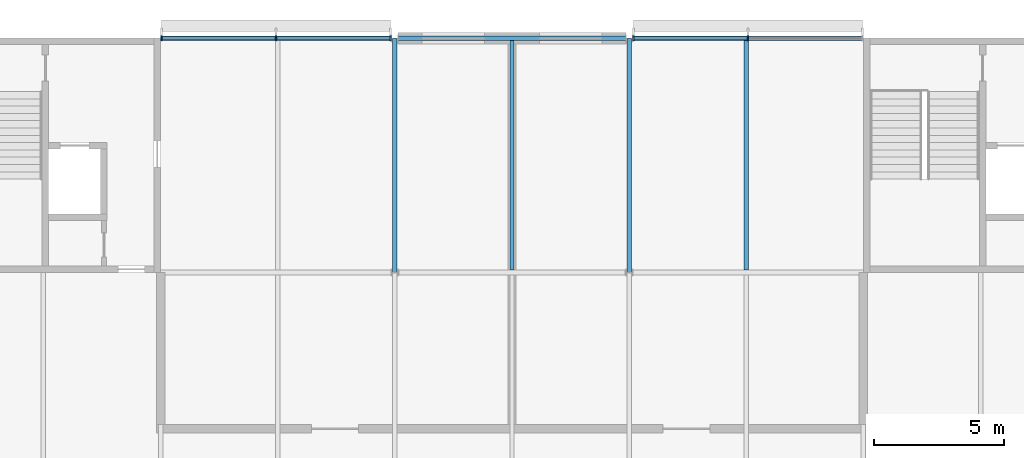
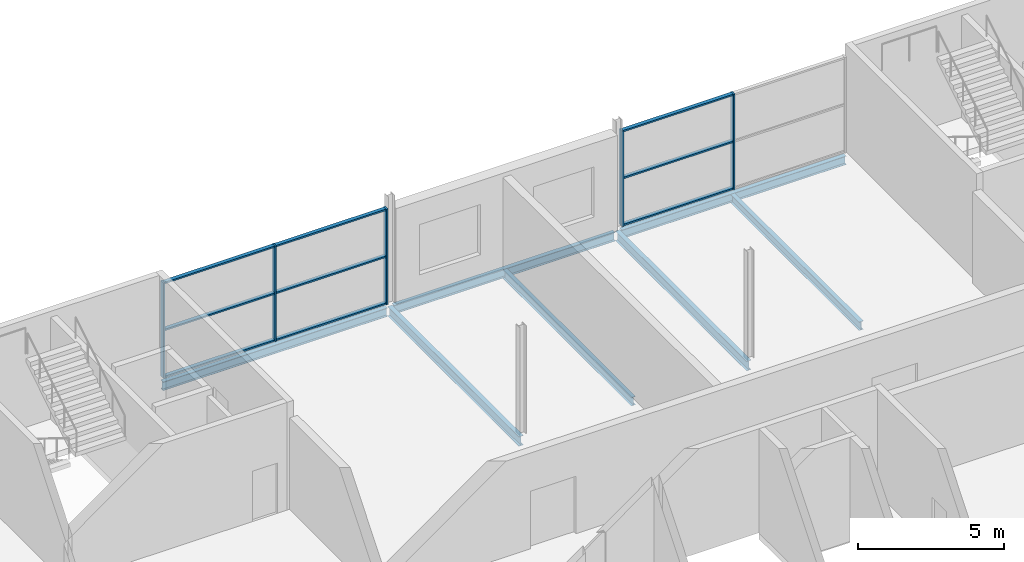
# One storey, part 71 of 138: 14 members, 7 beams, 2 elements without a shape of their own.
"""IFC4 building model written with IfcOpenShell, lengths in metres."""

from ifc_helpers import new_model, si_unit, direction, frame, origin, origin_2d, place, context, subcontext, project, spatial, rectangle, i_section, extrude, material, layer, layer_set, material_profile, profile_set, type_object, element, aggregate, save


model = new_model("IFC4")

# Units and contexts
model_context = context("Model", 3, precision=1e-05, world=origin(), true_north=direction((0.0, 1.0)))
body_context = subcontext(model_context, "Body", "Model", "MODEL_VIEW")
ifc_project = project(units=[si_unit("LENGTHUNIT", "METRE"), si_unit("AREAUNIT", "SQUARE_METRE"), si_unit("VOLUMEUNIT", "CUBIC_METRE"), si_unit("PLANEANGLEUNIT", "RADIAN"), si_unit("MASSUNIT", "GRAM", prefix="KILO")], contexts=[model_context])

# Site, building, storey
site_placement = place(None, origin())
site = spatial("IfcSite", under=ifc_project, at=site_placement, CompositionType="ELEMENT")
building_placement = place(site_placement, origin())
building = spatial("IfcBuilding", under=site, at=building_placement, Name="Corbel Yard City Hall", CompositionType="ELEMENT")
storey_placement = place(building_placement, frame((0.0, 0.0, 10.5)))
storey = spatial("IfcBuildingStorey", under=building, at=storey_placement, Name="L02", CompositionType="ELEMENT", Elevation=10.5)

# Beams
ifc_material_1 = material(Name="Steel Grade 300 (300 MPa yield)", Category="steel")
ifc_material_profile_1 = material_profile(ifc_material_1, i_section(OverallWidth=0.177978515625, OverallDepth=0.403076171875, WebThickness=0.007568359375, FlangeThickness=0.010986328125, at=origin_2d()), Name="410UB53.7")
ifc_profile_set_1 = profile_set([ifc_material_profile_1], Name="Steel Grade 300 (300 MPa yield)")
beam_type_1 = type_object("IfcBeamType", Name="Beam 410UB53.7", PredefinedType="BEAM", material=ifc_profile_set_1)
for number, where, z_axis, x_axis, name in (
    (1, (81.0, 108.005859375, -0.3515625), (0.0, 1.0, 0.0), (-1.0, 0.0, 0.0), "Beam 410UB53.7 SB6 L02floor"),
    (2, (90.0, 108.005859375, -0.3515625), (0.0, 1.0, 0.0), (-1.0, 0.0, 0.0), "Beam 410UB53.7 SB6 L02floor"),
):
    element("IfcBeam", number, at=place(storey_placement, frame(where, z_axis=z_axis, x_axis=x_axis)), inside=storey, type_object=beam_type_1, Name=name, PredefinedType="BEAM", context=body_context, shape_type="SweptSolid", body=[
        extrude(i_section(OverallWidth=0.177978515625, OverallDepth=0.403076171875, WebThickness=0.007568359375, FlangeThickness=0.010986328125, at=origin_2d()), origin(), (0.0, 0.0, 1.0), 8.98876953125),
    ])
ifc_material_profile_2 = material_profile(ifc_material_1, i_section(OverallWidth=0.172119140625, OverallDepth=0.35888671875, WebThickness=0.008056640625, FlangeThickness=0.012939453125, at=origin_2d()), Name="360UB56.7")
ifc_profile_set_2 = profile_set([ifc_material_profile_2], Name="Steel Grade 300 (300 MPa yield)")
beam_type_2 = type_object("IfcBeamType", Name="Edge beam 360UB56.7", PredefinedType="BEAM", material=ifc_profile_set_2)
beam_1_placement = place(storey_placement, frame((72.0, 117.0, -0.32958984375), z_axis=(1.0, 0.0, 0.0), x_axis=(0.0, 1.0, 0.0)))
element("IfcBeam", 3, at=beam_1_placement, inside=storey, type_object=beam_type_2, Name="Edge beam 360UB56.7 EB4 L02floor", PredefinedType="BEAM", context=body_context, shape_type="SweptSolid", body=[
    extrude(i_section(OverallWidth=0.172119140625, OverallDepth=0.35888671875, WebThickness=0.008056640625, FlangeThickness=0.012939453125, at=origin_2d()), origin(), (0.0, 0.0, 1.0), 8.8701171875),
])
beam_2_placement = place(storey_placement, frame((81.1298828125, 117.0, -0.32958984375), z_axis=(1.0, 0.0, 0.0), x_axis=(0.0, 1.0, 0.0)))
element("IfcBeam", 4, at=beam_2_placement, inside=storey, type_object=beam_type_2, Name="Edge beam 360UB56.7 EB4 L02floor", PredefinedType="BEAM", context=body_context, shape_type="SweptSolid", body=[
    extrude(i_section(OverallWidth=0.172119140625, OverallDepth=0.35888671875, WebThickness=0.008056640625, FlangeThickness=0.012939453125, at=origin_2d()), origin(), (0.0, 0.0, 1.0), 8.740234375),
])
beam_3_placement = place(storey_placement, frame((90.1298828125, 117.0, -0.32958984375), z_axis=(1.0, 0.0, 0.0), x_axis=(0.0, 1.0, 0.0)))
element("IfcBeam", 5, at=beam_3_placement, inside=storey, type_object=beam_type_2, Name="Edge beam 360UB56.7 EB4 L02floor", PredefinedType="BEAM", context=body_context, shape_type="SweptSolid", body=[
    extrude(i_section(OverallWidth=0.172119140625, OverallDepth=0.35888671875, WebThickness=0.008056640625, FlangeThickness=0.012939453125, at=origin_2d()), origin(), (0.0, 0.0, 1.0), 8.8701171875),
])

# Curtain wall, members
ifc_material_2 = material(Name="Aluminium extrusion", Category="aluminium")
ifc_layer = layer(ifc_material_2, 0.199951171875)
ifc_layer_set = layer_set([ifc_layer], Name="Aluminium extrusion")
curtain_wall_type = type_object("IfcCurtainWallType", Name="CW1", PredefinedType="USERDEFINED", material=ifc_layer_set)
curtain_wall_1_placement = place(storey_placement, origin())
curtain_wall_1 = element("IfcCurtainWall", 6, at=curtain_wall_1_placement, inside=storey, type_object=curtain_wall_type, Name="Curtain wall CW1 L02", ObjectType="CURTAIN WALL", PredefinedType="USERDEFINED")
ifc_material_profile_3 = material_profile(ifc_material_2, rectangle(XDim=0.199951171875, YDim=0.06494140625, at=origin_2d()), Name="200x65")
ifc_profile_set_3 = profile_set([ifc_material_profile_3], Name="Aluminium extrusion")
member_type_1 = type_object("IfcMemberType", Name="ML1", PredefinedType="MULLION", material=ifc_profile_set_3)
member_1_placement = place(storey_placement, frame((72.032470703125, 117.0, 0.0), z_axis=(0.0, 0.0, 1.0), x_axis=(0.0, 1.0, 0.0)))
member_1 = element("IfcMember", 7, at=member_1_placement, type_object=member_type_1, Name="CW1 mullion 1", PredefinedType="MULLION", context=body_context, shape_type="SweptSolid", body=[
    extrude(rectangle(XDim=0.199951171875, YDim=0.06494140625, at=origin_2d()), origin(), (0.0, 0.0, 1.0), 3.990966796875),
])
member_2_placement = place(storey_placement, frame((76.4365234375, 117.0, 0.0), z_axis=(0.0, 0.0, 1.0), x_axis=(0.0, 1.0, 0.0)))
member_2 = element("IfcMember", 8, at=member_2_placement, type_object=member_type_1, Name="CW1 mullion 2", PredefinedType="MULLION", context=body_context, shape_type="SweptSolid", body=[
    extrude(rectangle(XDim=0.199951171875, YDim=0.06494140625, at=origin_2d()), origin(), (0.0, 0.0, 1.0), 3.990966796875),
])
member_3_placement = place(storey_placement, frame((80.840576171875, 117.0, 0.0), z_axis=(0.0, 0.0, 1.0), x_axis=(0.0, 1.0, 0.0)))
member_3 = element("IfcMember", 9, at=member_3_placement, type_object=member_type_1, Name="CW1 mullion 3", PredefinedType="MULLION", context=body_context, shape_type="SweptSolid", body=[
    extrude(rectangle(XDim=0.199951171875, YDim=0.06494140625, at=origin_2d()), origin(), (0.0, 0.0, 1.0), 3.990966796875),
])

curtain_wall_2_placement = place(storey_placement, origin())
curtain_wall_2 = element("IfcCurtainWall", 10, at=curtain_wall_2_placement, inside=storey, type_object=curtain_wall_type, Name="Curtain wall CW1 L02", ObjectType="CURTAIN WALL", PredefinedType="USERDEFINED")
member_4_placement = place(storey_placement, frame((90.159423828125, 117.0, 0.0), z_axis=(0.0, 0.0, 1.0), x_axis=(0.0, 1.0, 0.0)))
member_4 = element("IfcMember", 11, at=member_4_placement, type_object=member_type_1, Name="CW1 mullion 1", PredefinedType="MULLION", context=body_context, shape_type="SweptSolid", body=[
    extrude(rectangle(XDim=0.199951171875, YDim=0.06494140625, at=origin_2d()), origin(), (0.0, 0.0, 1.0), 3.990966796875),
])
member_5_placement = place(storey_placement, frame((94.5634765625, 117.0, 0.0), z_axis=(0.0, 0.0, 1.0), x_axis=(0.0, 1.0, 0.0)))
member_5 = element("IfcMember", 12, at=member_5_placement, type_object=member_type_1, Name="CW1 mullion 2", PredefinedType="MULLION", context=body_context, shape_type="SweptSolid", body=[
    extrude(rectangle(XDim=0.199951171875, YDim=0.06494140625, at=origin_2d()), origin(), (0.0, 0.0, 1.0), 3.990966796875),
])

# Beams
ifc_material_profile_4 = material_profile(ifc_material_1, i_section(OverallWidth=0.1708984375, OverallDepth=0.35595703125, WebThickness=0.00732421875, FlangeThickness=0.011474609375, at=origin_2d()), Name="360UB50.7")
ifc_profile_set_4 = profile_set([ifc_material_profile_4], Name="Steel Grade 300 (300 MPa yield)")
beam_type_3 = type_object("IfcBeamType", Name="Secondary beam 360UB50.7", PredefinedType="JOIST", material=ifc_profile_set_4)
for number, where, z_axis, x_axis, name in (
    (13, (85.5, 108.1044921875, -0.327880859375), (0.0, 1.0, 0.0), (-1.0, 0.0, 0.0), "Secondary beam 360UB50.7 SB10 L02floor"),
    (14, (94.5, 108.1044921875, -0.327880859375), (0.0, 1.0, 0.0), (-1.0, 0.0, 0.0), "Secondary beam 360UB50.7 SB10 L02floor"),
):
    element("IfcBeam", number, at=place(storey_placement, frame(where, z_axis=z_axis, x_axis=x_axis)), inside=storey, type_object=beam_type_3, Name=name, PredefinedType="JOIST", context=body_context, shape_type="SweptSolid", body=[
        extrude(i_section(OverallWidth=0.1708984375, OverallDepth=0.35595703125, WebThickness=0.00732421875, FlangeThickness=0.011474609375, at=origin_2d()), origin(), (0.0, 0.0, 1.0), 8.8095703125),
    ])

# Member
ifc_material_profile_5 = material_profile(ifc_material_2, rectangle(XDim=0.14990234375, YDim=0.06494140625, at=origin_2d()), Name="150x65")
ifc_profile_set_5 = profile_set([ifc_material_profile_5], Name="Aluminium extrusion")
member_type_2 = type_object("IfcMemberType", Name="TR1", PredefinedType="USERDEFINED", material=ifc_profile_set_5)
member_6_placement = place(storey_placement, frame((72.06494140625, 117.0, 0.032470703125), z_axis=(1.0, 0.0, 0.0), x_axis=(0.0, 1.0, 0.0)))
member_6 = element("IfcMember", 15, at=member_6_placement, type_object=member_type_2, Name="CW1 transom 1.1", ObjectType="TRANSOM", PredefinedType="USERDEFINED", context=body_context, shape_type="SweptSolid", body=[
    extrude(rectangle(XDim=0.14990234375, YDim=0.06494140625, at=origin_2d()), origin(), (0.0, 0.0, 1.0), 4.339111328125),
])

member_7_placement = place(storey_placement, frame((72.06494140625, 117.0, 1.99560546875), z_axis=(1.0, 0.0, 0.0), x_axis=(0.0, 1.0, 0.0)))
member_7 = element("IfcMember", 16, at=member_7_placement, type_object=member_type_2, Name="CW1 transom 1.2", ObjectType="TRANSOM", PredefinedType="USERDEFINED", context=body_context, shape_type="SweptSolid", body=[
    extrude(rectangle(XDim=0.14990234375, YDim=0.06494140625, at=origin_2d()), origin(), (0.0, 0.0, 1.0), 4.339111328125),
])

member_8_placement = place(storey_placement, frame((72.06494140625, 117.0, 3.95849609375), z_axis=(1.0, 0.0, 0.0), x_axis=(0.0, 1.0, 0.0)))
member_8 = element("IfcMember", 17, at=member_8_placement, type_object=member_type_2, Name="CW1 transom 1.3", ObjectType="TRANSOM", PredefinedType="USERDEFINED", context=body_context, shape_type="SweptSolid", body=[
    extrude(rectangle(XDim=0.14990234375, YDim=0.06494140625, at=origin_2d()), origin(), (0.0, 0.0, 1.0), 4.339111328125),
])

member_9_placement = place(storey_placement, frame((76.468994140625, 117.0, 0.032470703125), z_axis=(1.0, 0.0, 0.0), x_axis=(0.0, 1.0, 0.0)))
member_9 = element("IfcMember", 18, at=member_9_placement, type_object=member_type_2, Name="CW1 transom 2.1", ObjectType="TRANSOM", PredefinedType="USERDEFINED", context=body_context, shape_type="SweptSolid", body=[
    extrude(rectangle(XDim=0.14990234375, YDim=0.06494140625, at=origin_2d()), origin(), (0.0, 0.0, 1.0), 4.339111328125),
])

member_10_placement = place(storey_placement, frame((76.468994140625, 117.0, 1.99560546875), z_axis=(1.0, 0.0, 0.0), x_axis=(0.0, 1.0, 0.0)))
member_10 = element("IfcMember", 19, at=member_10_placement, type_object=member_type_2, Name="CW1 transom 2.2", ObjectType="TRANSOM", PredefinedType="USERDEFINED", context=body_context, shape_type="SweptSolid", body=[
    extrude(rectangle(XDim=0.14990234375, YDim=0.06494140625, at=origin_2d()), origin(), (0.0, 0.0, 1.0), 4.339111328125),
])

member_11_placement = place(storey_placement, frame((76.468994140625, 117.0, 3.95849609375), z_axis=(1.0, 0.0, 0.0), x_axis=(0.0, 1.0, 0.0)))
member_11 = element("IfcMember", 20, at=member_11_placement, type_object=member_type_2, Name="CW1 transom 2.3", ObjectType="TRANSOM", PredefinedType="USERDEFINED", context=body_context, shape_type="SweptSolid", body=[
    extrude(rectangle(XDim=0.14990234375, YDim=0.06494140625, at=origin_2d()), origin(), (0.0, 0.0, 1.0), 4.339111328125),
])

aggregate(curtain_wall_1, [member_1, member_2, member_3, member_6, member_7, member_8, member_9, member_10, member_11])

member_12_placement = place(storey_placement, frame((90.19189453125, 117.0, 0.032470703125), z_axis=(1.0, 0.0, 0.0), x_axis=(0.0, 1.0, 0.0)))
member_12 = element("IfcMember", 21, at=member_12_placement, type_object=member_type_2, Name="CW1 transom 1.1", ObjectType="TRANSOM", PredefinedType="USERDEFINED", context=body_context, shape_type="SweptSolid", body=[
    extrude(rectangle(XDim=0.14990234375, YDim=0.06494140625, at=origin_2d()), origin(), (0.0, 0.0, 1.0), 4.339111328125),
])

member_13_placement = place(storey_placement, frame((90.19189453125, 117.0, 1.99560546875), z_axis=(1.0, 0.0, 0.0), x_axis=(0.0, 1.0, 0.0)))
member_13 = element("IfcMember", 22, at=member_13_placement, type_object=member_type_2, Name="CW1 transom 1.2", ObjectType="TRANSOM", PredefinedType="USERDEFINED", context=body_context, shape_type="SweptSolid", body=[
    extrude(rectangle(XDim=0.14990234375, YDim=0.06494140625, at=origin_2d()), origin(), (0.0, 0.0, 1.0), 4.339111328125),
])

member_14_placement = place(storey_placement, frame((90.19189453125, 117.0, 3.95849609375), z_axis=(1.0, 0.0, 0.0), x_axis=(0.0, 1.0, 0.0)))
member_14 = element("IfcMember", 23, at=member_14_placement, type_object=member_type_2, Name="CW1 transom 1.3", ObjectType="TRANSOM", PredefinedType="USERDEFINED", context=body_context, shape_type="SweptSolid", body=[
    extrude(rectangle(XDim=0.14990234375, YDim=0.06494140625, at=origin_2d()), origin(), (0.0, 0.0, 1.0), 4.339111328125),
])

aggregate(curtain_wall_2, [member_4, member_5, member_12, member_13, member_14])

save(model, "model.ifc")
